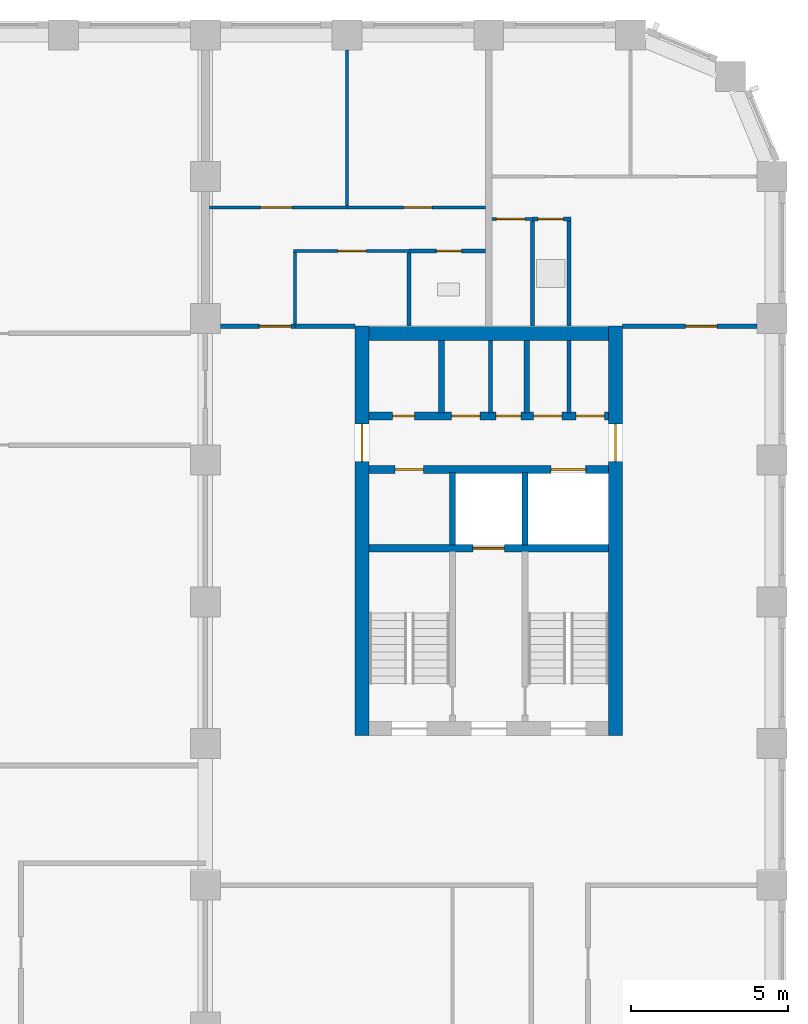
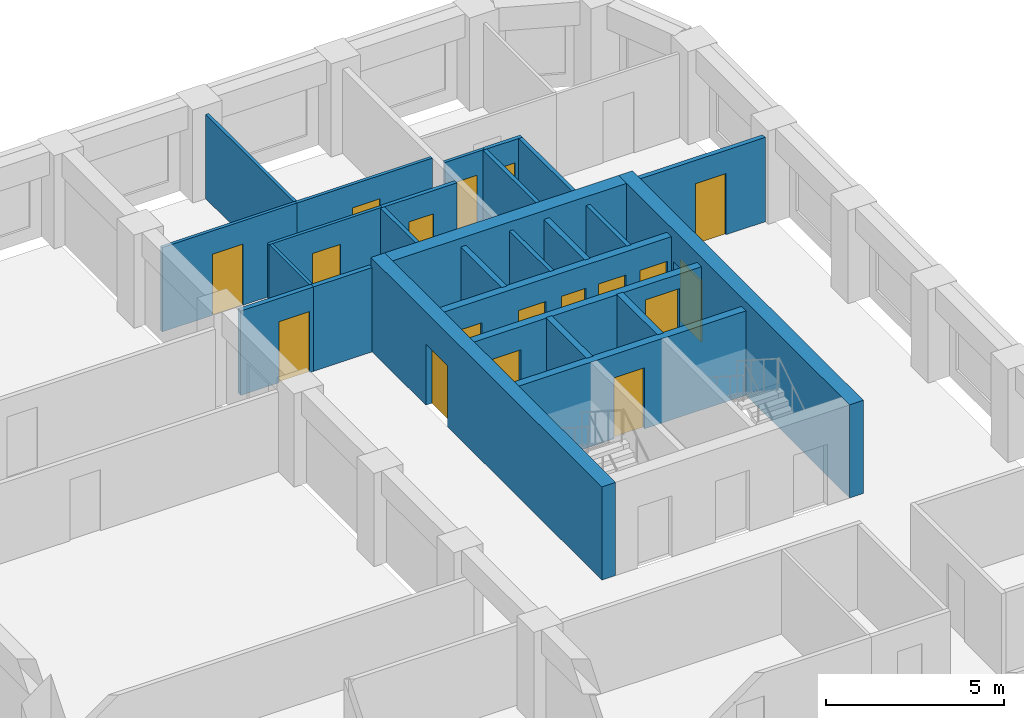
# One storey, part 8 of 12: 26 walls, 18 doors, 18 openings.
"""IFC4 building model written with IfcOpenShell, lengths in metres."""

from ifc_helpers import new_model, si_unit, direction, frame, frame_2d, origin, place, context, subcontext, project, spatial, rectangle, extrude, material, layer, layer_set, type_object, element, fill, save


model = new_model("IFC4")

# Units and contexts
model_context = context("Model", 3, precision=1e-05, world=origin(), true_north=direction((0.0, 1.0)))
body_context = subcontext(model_context, "Body", "Model", "MODEL_VIEW")
ifc_project = project(units=[si_unit("LENGTHUNIT", "METRE"), si_unit("AREAUNIT", "SQUARE_METRE"), si_unit("VOLUMEUNIT", "CUBIC_METRE"), si_unit("PLANEANGLEUNIT", "RADIAN"), si_unit("MASSUNIT", "GRAM", prefix="KILO")], contexts=[model_context])

# Site, building, storey
site_placement = place(None, origin())
site = spatial("IfcSite", under=ifc_project, at=site_placement, CompositionType="ELEMENT")
building_placement = place(site_placement, origin())
building = spatial("IfcBuilding", under=site, at=building_placement, Name="Girih Gate Residences", CompositionType="ELEMENT")
storey_placement = place(building_placement, frame((0.0, 0.0, 143.0)))
storey = spatial("IfcBuildingStorey", under=building, at=storey_placement, Name="L40", CompositionType="ELEMENT", Elevation=143.0)

# Wall, opening, door
ifc_material_1 = material(Name="Gypsum board on steel studs", Category="steel")
ifc_layer_1 = layer(ifc_material_1, 0.14990234375)
ifc_layer_set_1 = layer_set([ifc_layer_1], Name="Compartment wall 150 mm")
wall_type_1 = type_object("IfcWallType", Name="Compartment wall 150 mm", PredefinedType="PARTITIONING", material=ifc_layer_set_1)
wall_1_placement = place(storey_placement, frame((44.75, 40.25, 0.0), z_axis=(0.0, 0.0, 1.0), x_axis=(1.0, 0.0, 0.0)))
wall_1 = element("IfcWall", 1, at=wall_1_placement, inside=storey, type_object=wall_type_1, Name="L40 partition", PredefinedType="PARTITIONING", context=body_context, shape_type="SweptSolid", body=[
    extrude(rectangle(XDim=4.27490234375, YDim=0.14990234375, at=frame_2d((2.137451171875, 0.0))), origin(), (0.0, 0.0, 1.0), 2.89990234375),
])
opening_1_placement = place(wall_1_placement, frame((2.0, 0.0, 0.0)))
opening_1 = element("IfcOpeningElement", 2, at=opening_1_placement, cuts=wall_1, Name="Opening A40-032", PredefinedType="OPENING", context=body_context, shape_type="SweptSolid", body=[
    extrude(rectangle(XDim=1.0, YDim=2.10009765625, at=frame_2d((0.5, 1.050048828125))), frame((0.0, 0.0849609375, 0.0), z_axis=(0.0, -1.0, 0.0), x_axis=(1.0, 0.0, 0.0)), (0.0, 0.0, 1.0), 0.169921875),
])
ifc_material_2 = material(Name="Timber, fire-rated core", Category="wood")
door_type_1 = type_object("IfcDoorType", Name="Flat entrance door 1000x2100 FD30S", OperationType="NOTDEFINED", PredefinedType="DOOR", material=ifc_material_2)
door_1_placement = place(opening_1_placement, origin())
door_1 = element("IfcDoor", 3, at=door_1_placement, inside=storey, type_object=door_type_1, Name="Door A40-032", OperationType="SINGLE_SWING_RIGHT", OverallHeight=2.10009765625, OverallWidth=1.0, PredefinedType="DOOR", context=body_context, shape_type="SweptSolid", body=[
    extrude(rectangle(XDim=1.0, YDim=2.10009765625, at=frame_2d((0.5, 1.050048828125))), frame((0.0, 0.02490234375, 0.0), z_axis=(0.0, -1.0, 0.0), x_axis=(1.0, 0.0, 0.0)), (0.0, 0.0, 1.0), 0.050048828125),
])
fill(opening_1, door_1)

wall_2_placement = place(storey_placement, frame((31.97509765625, 40.25, 0.0), z_axis=(0.0, 0.0, 1.0), x_axis=(1.0, 0.0, 0.0)))
wall_2 = element("IfcWall", 4, at=wall_2_placement, inside=storey, type_object=wall_type_1, Name="L40 partition", PredefinedType="PARTITIONING", context=body_context, shape_type="SweptSolid", body=[
    extrude(rectangle(XDim=2.375, YDim=0.14990234375, at=frame_2d((1.1875, 0.0))), origin(), (0.0, 0.0, 1.0), 2.89990234375),
])
opening_2_placement = place(wall_2_placement, frame((1.2451171875, 0.0, 0.0)))
opening_2 = element("IfcOpeningElement", 5, at=opening_2_placement, cuts=wall_2, Name="Opening A40-037", PredefinedType="OPENING", context=body_context, shape_type="SweptSolid", body=[
    extrude(rectangle(XDim=1.0, YDim=2.10009765625, at=frame_2d((0.5, 1.050048828125))), frame((0.0, 0.0849609375, 0.0), z_axis=(0.0, -1.0, 0.0), x_axis=(1.0, 0.0, 0.0)), (0.0, 0.0, 1.0), 0.169921875),
])
door_2_placement = place(opening_2_placement, origin())
door_2 = element("IfcDoor", 6, at=door_2_placement, inside=storey, type_object=door_type_1, Name="Door A40-037", OperationType="SINGLE_SWING_RIGHT", OverallHeight=2.10009765625, OverallWidth=1.0, PredefinedType="DOOR", context=body_context, shape_type="SweptSolid", body=[
    extrude(rectangle(XDim=1.0, YDim=2.10009765625, at=frame_2d((0.5, 1.050048828125))), frame((0.0, 0.02490234375, 0.0), z_axis=(0.0, -1.0, 0.0), x_axis=(1.0, 0.0, 0.0)), (0.0, 0.0, 1.0), 0.050048828125),
])
fill(opening_2, door_2)

# Walls
wall_3_placement = place(storey_placement, frame((34.35009765625, 40.25, 0.0), z_axis=(0.0, 0.0, 1.0), x_axis=(1.0, 0.0, 0.0)))
element("IfcWall", 7, at=wall_3_placement, inside=storey, type_object=wall_type_1, Name="L40 partition", PredefinedType="PARTITIONING", context=body_context, shape_type="SweptSolid", body=[
    extrude(rectangle(XDim=1.89990234375, YDim=0.14990234375, at=frame_2d((0.949951171875, 0.0))), origin(), (0.0, 0.0, 1.0), 2.89990234375),
])
ifc_material_3 = material(Name="Concrete C60/75", Category="concrete")
ifc_layer_2 = layer(ifc_material_3, 0.449951171875)
ifc_layer_set_2 = layer_set([ifc_layer_2], Name="Core wall RC 450 Concrete C60/75")
wall_type_2 = type_object("IfcWallType", Name="Core wall RC 450 Concrete C60/75", PredefinedType="SOLIDWALL", material=ifc_layer_set_2)
wall_4_placement = place(storey_placement, frame((36.699951171875, 40.02490234375, 0.0), z_axis=(0.0, 0.0, 1.0), x_axis=(1.0, 0.0, 0.0)))
element("IfcWall", 8, at=wall_4_placement, inside=storey, type_object=wall_type_2, Name="Core wall E-N L40", PredefinedType="SOLIDWALL", context=body_context, shape_type="SweptSolid", body=[
    extrude(rectangle(XDim=7.60009765625, YDim=0.449951171875, at=frame_2d((3.800048828125, 0.0))), origin(), (0.0, 0.0, 1.0), 3.199951171875),
])

# Wall, opening, door
wall_5_placement = place(storey_placement, frame((36.47509765625, 27.25, 0.0), z_axis=(0.0, 0.0, 1.0), x_axis=(0.0, 1.0, 0.0)))
wall_5 = element("IfcWall", 9, at=wall_5_placement, inside=storey, type_object=wall_type_2, Name="Core wall E-W L40", PredefinedType="SOLIDWALL", context=body_context, shape_type="SweptSolid", body=[
    extrude(rectangle(XDim=13.0, YDim=0.449951171875, at=frame_2d((6.5, 0.0))), origin(), (0.0, 0.0, 1.0), 3.199951171875),
])
opening_3_placement = place(wall_5_placement, frame((8.699951171875, 0.0, 0.0)))
opening_3 = element("IfcOpeningElement", 10, at=opening_3_placement, cuts=wall_5, Name="Opening D-L40-E-014", PredefinedType="OPENING", context=body_context, shape_type="SweptSolid", body=[
    extrude(rectangle(XDim=1.199951171875, YDim=2.10009765625, at=frame_2d((0.60009765625, 1.050048828125))), frame((0.0, 0.23486328125, 0.0), z_axis=(0.0, -1.0, 0.0), x_axis=(1.0, 0.0, 0.0)), (0.0, 0.0, 1.0), 0.469970703125),
])
ifc_material_4 = material(Name="Painted steel, fire-resisting", Category="steel")
door_type_2 = type_object("IfcDoorType", Name="Fire door 1200x2100", OperationType="SINGLE_SWING_LEFT", PredefinedType="DOOR", material=ifc_material_4)
door_3_placement = place(opening_3_placement, origin())
door_3 = element("IfcDoor", 11, at=door_3_placement, inside=storey, type_object=door_type_2, Name="L40 E core door ll-w", OperationType="SINGLE_SWING_LEFT", OverallHeight=2.10009765625, OverallWidth=1.199951171875, PredefinedType="DOOR", context=body_context, shape_type="SweptSolid", body=[
    extrude(rectangle(XDim=1.199951171875, YDim=2.10009765625, at=frame_2d((0.60009765625, 1.050048828125))), frame((0.0, 0.02490234375, 0.0), z_axis=(0.0, -1.0, 0.0), x_axis=(1.0, 0.0, 0.0)), (0.0, 0.0, 1.0), 0.050048828125),
])
fill(opening_3, door_3)

wall_6_placement = place(storey_placement, frame((44.52490234375, 27.25, 0.0), z_axis=(0.0, 0.0, 1.0), x_axis=(0.0, 1.0, 0.0)))
wall_6 = element("IfcWall", 12, at=wall_6_placement, inside=storey, type_object=wall_type_2, Name="Core wall E-E L40", PredefinedType="SOLIDWALL", context=body_context, shape_type="SweptSolid", body=[
    extrude(rectangle(XDim=13.0, YDim=0.449951171875, at=frame_2d((6.5, 0.0))), origin(), (0.0, 0.0, 1.0), 3.199951171875),
])
opening_4_placement = place(wall_6_placement, frame((8.699951171875, 0.0, 0.0)))
opening_4 = element("IfcOpeningElement", 13, at=opening_4_placement, cuts=wall_6, Name="Opening D-L40-E-015", PredefinedType="OPENING", context=body_context, shape_type="SweptSolid", body=[
    extrude(rectangle(XDim=1.199951171875, YDim=2.10009765625, at=frame_2d((0.60009765625, 1.050048828125))), frame((0.0, 0.23486328125, 0.0), z_axis=(0.0, -1.0, 0.0), x_axis=(1.0, 0.0, 0.0)), (0.0, 0.0, 1.0), 0.469970703125),
])
door_4_placement = place(opening_4_placement, origin())
door_4 = element("IfcDoor", 14, at=door_4_placement, inside=storey, type_object=door_type_2, Name="L40 E core door ll-e", OperationType="SINGLE_SWING_LEFT", OverallHeight=2.10009765625, OverallWidth=1.199951171875, PredefinedType="DOOR", context=body_context, shape_type="SweptSolid", body=[
    extrude(rectangle(XDim=1.199951171875, YDim=2.10009765625, at=frame_2d((0.60009765625, 1.050048828125))), frame((0.0, 0.02490234375, 0.0), z_axis=(0.0, -1.0, 0.0), x_axis=(1.0, 0.0, 0.0)), (0.0, 0.0, 1.0), 0.050048828125),
])
fill(opening_4, door_4)

ifc_material_5 = material(Name="Concrete C40/50", Category="concrete")
ifc_layer_3 = layer(ifc_material_5, 0.25)
ifc_layer_set_3 = layer_set([ifc_layer_3], Name="Lift shaft wall 250")
wall_type_3 = type_object("IfcWallType", Name="Lift shaft wall 250", PredefinedType="SOLIDWALL", material=ifc_layer_set_3)
wall_7_placement = place(storey_placement, frame((36.699951171875, 33.199951171875, 0.0), z_axis=(0.0, 0.0, 1.0), x_axis=(1.0, 0.0, 0.0)))
wall_7 = element("IfcWall", 15, at=wall_7_placement, inside=storey, type_object=wall_type_3, Name="L40 E core wall H1", PredefinedType="SOLIDWALL", context=body_context, shape_type="SweptSolid", body=[
    extrude(rectangle(XDim=7.60009765625, YDim=0.25, at=frame_2d((3.800048828125, 0.0))), origin(), (0.0, 0.0, 1.0), 2.89990234375),
])
opening_5_placement = place(wall_7_placement, frame((3.300048828125, 0.0, 0.0)))
opening_5 = element("IfcOpeningElement", 16, at=opening_5_placement, cuts=wall_7, Name="Opening D-L40-E-004", PredefinedType="OPENING", context=body_context, shape_type="SweptSolid", body=[
    extrude(rectangle(XDim=1.0, YDim=2.10009765625, at=frame_2d((0.5, 1.050048828125))), frame((0.0, 0.135009765625, 0.0), z_axis=(0.0, -1.0, 0.0), x_axis=(1.0, 0.0, 0.0)), (0.0, 0.0, 1.0), 0.27001953125),
])
ifc_material_6 = material(Name="Stainless steel, fire-resisting", Category="steel")
door_type_3 = type_object("IfcDoorType", Name="Firefighting lift landing door 1000x2100", OperationType="SLIDING_TO_LEFT", PredefinedType="DOOR", material=ifc_material_6)
door_5_placement = place(opening_5_placement, origin())
door_5 = element("IfcDoor", 17, at=door_5_placement, inside=storey, type_object=door_type_3, Name="L40 lift FF-E landing door", OperationType="SLIDING_TO_LEFT", OverallHeight=2.10009765625, OverallWidth=1.0, PredefinedType="DOOR", context=body_context, shape_type="SweptSolid", body=[
    extrude(rectangle(XDim=1.0, YDim=2.10009765625, at=frame_2d((0.5, 1.050048828125))), frame((0.0, 0.02490234375, 0.0), z_axis=(0.0, -1.0, 0.0), x_axis=(1.0, 0.0, 0.0)), (0.0, 0.0, 1.0), 0.050048828125),
])
fill(opening_5, door_5)

# Wall, openings, doors
wall_8_placement = place(storey_placement, frame((36.699951171875, 35.699951171875, 0.0), z_axis=(0.0, 0.0, 1.0), x_axis=(1.0, 0.0, 0.0)))
wall_8 = element("IfcWall", 18, at=wall_8_placement, inside=storey, type_object=wall_type_3, Name="L40 E core wall H2", PredefinedType="SOLIDWALL", context=body_context, shape_type="SweptSolid", body=[
    extrude(rectangle(XDim=7.60009765625, YDim=0.25, at=frame_2d((3.800048828125, 0.0))), origin(), (0.0, 0.0, 1.0), 2.89990234375),
])
opening_6_placement = place(wall_8_placement, frame((5.77490234375, 0.0, 0.0)))
opening_6 = element("IfcOpeningElement", 19, at=opening_6_placement, cuts=wall_8, Name="Opening D-L40-E-003", PredefinedType="OPENING", context=body_context, shape_type="SweptSolid", body=[
    extrude(rectangle(XDim=1.10009765625, YDim=2.39990234375, at=frame_2d((0.550048828125, 1.199951171875))), frame((0.0, 0.135009765625, 0.0), z_axis=(0.0, -1.0, 0.0), x_axis=(1.0, 0.0, 0.0)), (0.0, 0.0, 1.0), 0.27001953125),
])
opening_7_placement = place(wall_8_placement, frame((0.824951171875, 0.0, 0.0)))
opening_7 = element("IfcOpeningElement", 20, at=opening_7_placement, cuts=wall_8, Name="Opening D-L40-E-006", PredefinedType="OPENING", context=body_context, shape_type="SweptSolid", body=[
    extrude(rectangle(XDim=0.89990234375, YDim=2.10009765625, at=frame_2d((0.449951171875, 1.050048828125))), frame((0.0, 0.135009765625, 0.0), z_axis=(0.0, -1.0, 0.0), x_axis=(1.0, 0.0, 0.0)), (0.0, 0.0, 1.0), 0.27001953125),
])
door_type_4 = type_object("IfcDoorType", Name="Fire door 900x2100", OperationType="SINGLE_SWING_LEFT", PredefinedType="DOOR", material=ifc_material_4)
door_6_placement = place(opening_7_placement, origin())
door_6 = element("IfcDoor", 21, at=door_6_placement, inside=storey, type_object=door_type_4, Name="L40 E cleaners store door", OperationType="SINGLE_SWING_LEFT", OverallHeight=2.10009765625, OverallWidth=0.89990234375, PredefinedType="DOOR", context=body_context, shape_type="SweptSolid", body=[
    extrude(rectangle(XDim=0.89990234375, YDim=2.10009765625, at=frame_2d((0.449951171875, 1.050048828125))), frame((0.0, 0.02490234375, 0.0), z_axis=(0.0, -1.0, 0.0), x_axis=(1.0, 0.0, 0.0)), (0.0, 0.0, 1.0), 0.050048828125),
])
fill(opening_7, door_6)
ifc_material_7 = material(Name="Stainless steel", Category="steel")
door_type_5 = type_object("IfcDoorType", Name="Lift landing door 1100x2400", OperationType="SLIDING_TO_LEFT", PredefinedType="DOOR", material=ifc_material_7)
door_7_placement = place(opening_6_placement, origin())
door_7 = element("IfcDoor", 22, at=door_7_placement, inside=storey, type_object=door_type_5, Name="L40 lift HR-E1 landing door", OperationType="SLIDING_TO_LEFT", OverallHeight=2.39990234375, OverallWidth=1.10009765625, PredefinedType="DOOR", context=body_context, shape_type="SweptSolid", body=[
    extrude(rectangle(XDim=1.10009765625, YDim=2.39990234375, at=frame_2d((0.550048828125, 1.199951171875))), frame((0.0, 0.02490234375, 0.0), z_axis=(0.0, -1.0, 0.0), x_axis=(1.0, 0.0, 0.0)), (0.0, 0.0, 1.0), 0.050048828125),
])
fill(opening_6, door_7)

wall_9_placement = place(storey_placement, frame((36.699951171875, 37.39990234375, 0.0), z_axis=(0.0, 0.0, 1.0), x_axis=(1.0, 0.0, 0.0)))
wall_9 = element("IfcWall", 23, at=wall_9_placement, inside=storey, type_object=wall_type_3, Name="L40 E core wall H3", PredefinedType="SOLIDWALL", context=body_context, shape_type="SweptSolid", body=[
    extrude(rectangle(XDim=7.60009765625, YDim=0.25, at=frame_2d((3.800048828125, 0.0))), origin(), (0.0, 0.0, 1.0), 2.89990234375),
])
opening_8_placement = place(wall_9_placement, frame((0.75, 0.0, 0.0)))
opening_8 = element("IfcOpeningElement", 24, at=opening_8_placement, cuts=wall_9, Name="Opening D-L40-E-005", PredefinedType="OPENING", context=body_context, shape_type="SweptSolid", body=[
    extrude(rectangle(XDim=0.699951171875, YDim=2.10009765625, at=frame_2d((0.35009765625, 1.050048828125))), frame((0.0, 0.135009765625, 0.0), z_axis=(0.0, -1.0, 0.0), x_axis=(1.0, 0.0, 0.0)), (0.0, 0.0, 1.0), 0.27001953125),
])
opening_9_placement = place(wall_9_placement, frame((6.574951171875, 0.0, 0.0)))
opening_9 = element("IfcOpeningElement", 25, at=opening_9_placement, cuts=wall_9, Name="Opening D-L40-E-007", PredefinedType="OPENING", context=body_context, shape_type="SweptSolid", body=[
    extrude(rectangle(XDim=0.89990234375, YDim=2.10009765625, at=frame_2d((0.449951171875, 1.050048828125))), frame((0.0, 0.135009765625, 0.0), z_axis=(0.0, -1.0, 0.0), x_axis=(1.0, 0.0, 0.0)), (0.0, 0.0, 1.0), 0.27001953125),
])
opening_10_placement = place(wall_9_placement, frame((5.22509765625, 0.0, 0.0)))
opening_10 = element("IfcOpeningElement", 26, at=opening_10_placement, cuts=wall_9, Name="Opening D-L40-E-008", PredefinedType="OPENING", context=body_context, shape_type="SweptSolid", body=[
    extrude(rectangle(XDim=0.89990234375, YDim=2.10009765625, at=frame_2d((0.449951171875, 1.050048828125))), frame((0.0, 0.135009765625, 0.0), z_axis=(0.0, -1.0, 0.0), x_axis=(1.0, 0.0, 0.0)), (0.0, 0.0, 1.0), 0.27001953125),
])
opening_11_placement = place(wall_9_placement, frame((4.02490234375, 0.0, 0.0)))
opening_11 = element("IfcOpeningElement", 27, at=opening_11_placement, cuts=wall_9, Name="Opening D-L40-E-009", PredefinedType="OPENING", context=body_context, shape_type="SweptSolid", body=[
    extrude(rectangle(XDim=0.800048828125, YDim=2.10009765625, at=frame_2d((0.39990234375, 1.050048828125))), frame((0.0, 0.135009765625, 0.0), z_axis=(0.0, -1.0, 0.0), x_axis=(1.0, 0.0, 0.0)), (0.0, 0.0, 1.0), 0.27001953125),
])
opening_12_placement = place(wall_9_placement, frame((2.625, 0.0, 0.0)))
opening_12 = element("IfcOpeningElement", 28, at=opening_12_placement, cuts=wall_9, Name="Opening D-L40-E-010", PredefinedType="OPENING", context=body_context, shape_type="SweptSolid", body=[
    extrude(rectangle(XDim=0.89990234375, YDim=2.10009765625, at=frame_2d((0.449951171875, 1.050048828125))), frame((0.0, 0.135009765625, 0.0), z_axis=(0.0, -1.0, 0.0), x_axis=(1.0, 0.0, 0.0)), (0.0, 0.0, 1.0), 0.27001953125),
])
door_type_6 = type_object("IfcDoorType", Name="Fire door 800x2100", OperationType="SINGLE_SWING_LEFT", PredefinedType="DOOR", material=ifc_material_4)
door_8_placement = place(opening_11_placement, origin())
door_8 = element("IfcDoor", 29, at=door_8_placement, inside=storey, type_object=door_type_6, Name="L40 E store door", OperationType="SINGLE_SWING_LEFT", OverallHeight=2.10009765625, OverallWidth=0.800048828125, PredefinedType="DOOR", context=body_context, shape_type="SweptSolid", body=[
    extrude(rectangle(XDim=0.800048828125, YDim=2.10009765625, at=frame_2d((0.39990234375, 1.050048828125))), frame((0.0, 0.02490234375, 0.0), z_axis=(0.0, -1.0, 0.0), x_axis=(1.0, 0.0, 0.0)), (0.0, 0.0, 1.0), 0.050048828125),
])
fill(opening_11, door_8)
door_9_placement = place(opening_9_placement, origin())
door_9 = element("IfcDoor", 30, at=door_9_placement, inside=storey, type_object=door_type_4, Name="L40 E electrical room door", OperationType="SINGLE_SWING_LEFT", OverallHeight=2.10009765625, OverallWidth=0.89990234375, PredefinedType="DOOR", context=body_context, shape_type="SweptSolid", body=[
    extrude(rectangle(XDim=0.89990234375, YDim=2.10009765625, at=frame_2d((0.449951171875, 1.050048828125))), frame((0.0, 0.02490234375, 0.0), z_axis=(0.0, -1.0, 0.0), x_axis=(1.0, 0.0, 0.0)), (0.0, 0.0, 1.0), 0.050048828125),
])
fill(opening_9, door_9)
door_10_placement = place(opening_10_placement, origin())
door_10 = element("IfcDoor", 31, at=door_10_placement, inside=storey, type_object=door_type_4, Name="L40 E pantry door", OperationType="SINGLE_SWING_LEFT", OverallHeight=2.10009765625, OverallWidth=0.89990234375, PredefinedType="DOOR", context=body_context, shape_type="SweptSolid", body=[
    extrude(rectangle(XDim=0.89990234375, YDim=2.10009765625, at=frame_2d((0.449951171875, 1.050048828125))), frame((0.0, 0.02490234375, 0.0), z_axis=(0.0, -1.0, 0.0), x_axis=(1.0, 0.0, 0.0)), (0.0, 0.0, 1.0), 0.050048828125),
])
fill(opening_10, door_10)
door_11_placement = place(opening_12_placement, origin())
door_11 = element("IfcDoor", 32, at=door_11_placement, inside=storey, type_object=door_type_4, Name="L40 E comms room door", OperationType="SINGLE_SWING_LEFT", OverallHeight=2.10009765625, OverallWidth=0.89990234375, PredefinedType="DOOR", context=body_context, shape_type="SweptSolid", body=[
    extrude(rectangle(XDim=0.89990234375, YDim=2.10009765625, at=frame_2d((0.449951171875, 1.050048828125))), frame((0.0, 0.02490234375, 0.0), z_axis=(0.0, -1.0, 0.0), x_axis=(1.0, 0.0, 0.0)), (0.0, 0.0, 1.0), 0.050048828125),
])
fill(opening_12, door_11)
door_type_7 = type_object("IfcDoorType", Name="Riser access door 700x2100", OperationType="SINGLE_SWING_LEFT", PredefinedType="DOOR", material=ifc_material_4)
door_12_placement = place(opening_8_placement, origin())
door_12 = element("IfcDoor", 33, at=door_12_placement, inside=storey, type_object=door_type_7, Name="L40 E riser room door", OperationType="SINGLE_SWING_LEFT", OverallHeight=2.10009765625, OverallWidth=0.699951171875, PredefinedType="DOOR", context=body_context, shape_type="SweptSolid", body=[
    extrude(rectangle(XDim=0.699951171875, YDim=2.10009765625, at=frame_2d((0.35009765625, 1.050048828125))), frame((0.0, 0.02490234375, 0.0), z_axis=(0.0, -1.0, 0.0), x_axis=(1.0, 0.0, 0.0)), (0.0, 0.0, 1.0), 0.050048828125),
])
fill(opening_8, door_12)

# Wall, opening, door
ifc_layer_4 = layer(ifc_material_1, 0.10009765625)
ifc_layer_set_4 = layer_set([ifc_layer_4], Name="Partition 100 mm")
wall_type_4 = type_object("IfcWallType", Name="Partition 100 mm", PredefinedType="PARTITIONING", material=ifc_layer_set_4)
wall_10_placement = place(storey_placement, frame((41.890869140625, 43.659912109375, 0.0), z_axis=(0.0, 0.0, 1.0), x_axis=(-1.0, 0.0, 0.0)))
wall_10 = element("IfcWall", 34, at=wall_10_placement, inside=storey, type_object=wall_type_4, Name="L40 partition", PredefinedType="PARTITIONING", context=body_context, shape_type="SweptSolid", body=[
    extrude(rectangle(XDim=1.290771484375, YDim=0.10009765625, at=frame_2d((0.6455078125, 0.0))), origin(), (0.0, 0.0, 1.0), 2.89990234375),
])
opening_13_placement = place(wall_10_placement, frame((0.24560546875, 0.0, 0.0)))
opening_13 = element("IfcOpeningElement", 35, at=opening_13_placement, cuts=wall_10, Name="Opening A40-030", PredefinedType="OPENING", context=body_context, shape_type="SweptSolid", body=[
    extrude(rectangle(XDim=0.89990234375, YDim=2.10009765625, at=frame_2d((0.449951171875, 1.050048828125))), frame((0.0, 0.06005859375, 0.0), z_axis=(0.0, -1.0, 0.0), x_axis=(1.0, 0.0, 0.0)), (0.0, 0.0, 1.0), 0.1201171875),
])
ifc_material_8 = material(Name="Timber", Category="wood")
door_type_8 = type_object("IfcDoorType", Name="Kitchen door 900x2100", OperationType="NOTDEFINED", PredefinedType="DOOR", material=ifc_material_8)
door_13_placement = place(opening_13_placement, origin())
door_13 = element("IfcDoor", 36, at=door_13_placement, inside=storey, type_object=door_type_8, Name="Door A40-030", OperationType="SINGLE_SWING_RIGHT", OverallHeight=2.10009765625, OverallWidth=0.89990234375, PredefinedType="DOOR", context=body_context, shape_type="SweptSolid", body=[
    extrude(rectangle(XDim=0.89990234375, YDim=2.10009765625, at=frame_2d((0.449951171875, 1.050048828125))), frame((0.0, 0.02490234375, 0.0), z_axis=(0.0, -1.0, 0.0), x_axis=(1.0, 0.0, 0.0)), (0.0, 0.0, 1.0), 0.050048828125),
])
fill(opening_13, door_13)

wall_11_placement = place(storey_placement, frame((36.0, 44.02490234375, 0.0), z_axis=(0.0, 0.0, 1.0), x_axis=(1.0, 0.0, 0.0)))
wall_11 = element("IfcWall", 37, at=wall_11_placement, inside=storey, type_object=wall_type_4, Name="L40 partition", PredefinedType="PARTITIONING", context=body_context, shape_type="SweptSolid", body=[
    extrude(rectangle(XDim=4.39990234375, YDim=0.10009765625, at=frame_2d((2.199951171875, 0.0))), origin(), (0.0, 0.0, 1.0), 2.89990234375),
])
opening_14_placement = place(wall_11_placement, frame((1.800048828125, 0.0, 0.0)))
opening_14 = element("IfcOpeningElement", 38, at=opening_14_placement, cuts=wall_11, Name="Opening A40-034", PredefinedType="OPENING", context=body_context, shape_type="SweptSolid", body=[
    extrude(rectangle(XDim=0.89990234375, YDim=2.10009765625, at=frame_2d((0.449951171875, 1.050048828125))), frame((0.0, 0.06005859375, 0.0), z_axis=(0.0, -1.0, 0.0), x_axis=(1.0, 0.0, 0.0)), (0.0, 0.0, 1.0), 0.1201171875),
])
door_type_9 = type_object("IfcDoorType", Name="Bedroom door 900x2100", OperationType="NOTDEFINED", PredefinedType="DOOR", material=ifc_material_8)
door_14_placement = place(opening_14_placement, origin())
door_14 = element("IfcDoor", 39, at=door_14_placement, inside=storey, type_object=door_type_9, Name="Door A40-034", OperationType="SINGLE_SWING_RIGHT", OverallHeight=2.10009765625, OverallWidth=0.89990234375, PredefinedType="DOOR", context=body_context, shape_type="SweptSolid", body=[
    extrude(rectangle(XDim=0.89990234375, YDim=2.10009765625, at=frame_2d((0.449951171875, 1.050048828125))), frame((0.0, 0.02490234375, 0.0), z_axis=(0.0, -1.0, 0.0), x_axis=(1.0, 0.0, 0.0)), (0.0, 0.0, 1.0), 0.050048828125),
])
fill(opening_14, door_14)

# Wall
wall_12_placement = place(storey_placement, frame((36.0, 44.074951171875, 0.0), z_axis=(0.0, 0.0, 1.0), x_axis=(0.0, 1.0, 0.0)))
element("IfcWall", 40, at=wall_12_placement, inside=storey, type_object=wall_type_4, Name="L40 partition", PredefinedType="PARTITIONING", context=body_context, shape_type="SweptSolid", body=[
    extrude(rectangle(XDim=4.949951171875, YDim=0.10009765625, at=frame_2d((2.47509765625, 0.0))), origin(), (0.0, 0.0, 1.0), 2.89990234375),
])

# Wall, opening, door
wall_13_placement = place(storey_placement, frame((37.97265625, 42.64501953125, 0.0), z_axis=(0.0, 0.0, 1.0), x_axis=(-1.0, 0.0, 0.0)))
wall_13 = element("IfcWall", 41, at=wall_13_placement, inside=storey, type_object=wall_type_4, Name="L40 partition", PredefinedType="PARTITIONING", context=body_context, shape_type="SweptSolid", body=[
    extrude(rectangle(XDim=3.672607421875, YDim=0.10009765625, at=frame_2d((1.83642578125, 0.0))), origin(), (0.0, 0.0, 1.0), 2.89990234375),
])
opening_15_placement = place(wall_13_placement, frame((1.361328125, 0.0, 0.0)))
opening_15 = element("IfcOpeningElement", 42, at=opening_15_placement, cuts=wall_13, Name="Opening A40-035", PredefinedType="OPENING", context=body_context, shape_type="SweptSolid", body=[
    extrude(rectangle(XDim=0.89990234375, YDim=2.10009765625, at=frame_2d((0.449951171875, 1.050048828125))), frame((0.0, 0.06005859375, 0.0), z_axis=(0.0, -1.0, 0.0), x_axis=(1.0, 0.0, 0.0)), (0.0, 0.0, 1.0), 0.1201171875),
])
door_15_placement = place(opening_15_placement, origin())
door_15 = element("IfcDoor", 43, at=door_15_placement, inside=storey, type_object=door_type_8, Name="Door A40-035", OperationType="SINGLE_SWING_LEFT", OverallHeight=2.10009765625, OverallWidth=0.89990234375, PredefinedType="DOOR", context=body_context, shape_type="SweptSolid", body=[
    extrude(rectangle(XDim=0.89990234375, YDim=2.10009765625, at=frame_2d((0.449951171875, 1.050048828125))), frame((0.0, 0.02490234375, 0.0), z_axis=(0.0, -1.0, 0.0), x_axis=(1.0, 0.0, 0.0)), (0.0, 0.0, 1.0), 0.050048828125),
])
fill(opening_15, door_15)

# Wall
wall_14_placement = place(storey_placement, frame((34.35009765625, 40.324951171875, 0.0), z_axis=(0.0, 0.0, 1.0), x_axis=(0.0, 1.0, 0.0)))
element("IfcWall", 44, at=wall_14_placement, inside=storey, type_object=wall_type_4, Name="L40 partition", PredefinedType="PARTITIONING", context=body_context, shape_type="SweptSolid", body=[
    extrude(rectangle(XDim=2.27001953125, YDim=0.10009765625, at=frame_2d((1.135009765625, 0.0))), origin(), (0.0, 0.0, 1.0), 2.89990234375),
])

# Wall, opening, door
wall_15_placement = place(storey_placement, frame((31.625, 44.02490234375, 0.0), z_axis=(0.0, 0.0, 1.0), x_axis=(1.0, 0.0, 0.0)))
wall_15 = element("IfcWall", 45, at=wall_15_placement, inside=storey, type_object=wall_type_4, Name="L40 partition", PredefinedType="PARTITIONING", context=body_context, shape_type="SweptSolid", body=[
    extrude(rectangle(XDim=4.375, YDim=0.10009765625, at=frame_2d((2.1875, 0.0))), origin(), (0.0, 0.0, 1.0), 2.89990234375),
])
opening_16_placement = place(wall_15_placement, frame((1.625, 0.0, 0.0)))
opening_16 = element("IfcOpeningElement", 46, at=opening_16_placement, cuts=wall_15, Name="Opening A40-036", PredefinedType="OPENING", context=body_context, shape_type="SweptSolid", body=[
    extrude(rectangle(XDim=1.0, YDim=2.10009765625, at=frame_2d((0.5, 1.050048828125))), frame((0.0, 0.06005859375, 0.0), z_axis=(0.0, -1.0, 0.0), x_axis=(1.0, 0.0, 0.0)), (0.0, 0.0, 1.0), 0.1201171875),
])
door_type_10 = type_object("IfcDoorType", Name="Living room door 1000x2100", OperationType="NOTDEFINED", PredefinedType="DOOR", material=ifc_material_8)
door_16_placement = place(opening_16_placement, origin())
door_16 = element("IfcDoor", 47, at=door_16_placement, inside=storey, type_object=door_type_10, Name="Door A40-036", OperationType="SINGLE_SWING_LEFT", OverallHeight=2.10009765625, OverallWidth=1.0, PredefinedType="DOOR", context=body_context, shape_type="SweptSolid", body=[
    extrude(rectangle(XDim=1.0, YDim=2.10009765625, at=frame_2d((0.5, 1.050048828125))), frame((0.0, 0.02490234375, 0.0), z_axis=(0.0, -1.0, 0.0), x_axis=(1.0, 0.0, 0.0)), (0.0, 0.0, 1.0), 0.050048828125),
])
fill(opening_16, door_16)

# Walls
ifc_layer_5 = layer(ifc_material_5, 0.175048828125)
ifc_layer_set_5 = layer_set([ifc_layer_5], Name="Riser shaft wall 175")
wall_type_5 = type_object("IfcWallType", Name="Riser shaft wall 175", PredefinedType="SOLIDWALL", material=ifc_layer_set_5)
for number, where, z_axis, x_axis, name in (
    (48, (41.699951171875, 37.5, 0.0), (0.0, 0.0, 1.0), (0.0, 1.0, 0.0), "L40 E core wall V1c"),
    (49, (39.0, 37.5, 0.0), (0.0, 0.0, 1.0), (0.0, 1.0, 0.0), "L40 E core wall V2c"),
):
    element("IfcWall", number, at=place(storey_placement, frame(where, z_axis=z_axis, x_axis=x_axis)), inside=storey, type_object=wall_type_5, Name=name, PredefinedType="SOLIDWALL", context=body_context, shape_type="SweptSolid", body=[
        extrude(rectangle(XDim=2.300048828125, YDim=0.175048828125, at=frame_2d((1.14990234375, 0.0))), origin(), (0.0, 0.0, 1.0), 2.89990234375),
    ])
ifc_layer_6 = layer(ifc_material_5, 0.199951171875)
ifc_layer_set_6 = layer_set([ifc_layer_6], Name="Shaft wall 200")
wall_type_6 = type_object("IfcWallType", Name="Shaft wall 200", PredefinedType="SOLIDWALL", material=ifc_layer_set_6)
for number, where, z_axis, x_axis, name in (
    (50, (41.64990234375, 33.300048828125, 0.0), (0.0, 0.0, 1.0), (0.0, 1.0, 0.0), "L40 E core wall V1b"),
    (51, (39.35009765625, 33.300048828125, 0.0), (0.0, 0.0, 1.0), (0.0, 1.0, 0.0), "L40 E core wall V2b"),
):
    element("IfcWall", number, at=place(storey_placement, frame(where, z_axis=z_axis, x_axis=x_axis)), inside=storey, type_object=wall_type_6, Name=name, PredefinedType="SOLIDWALL", context=body_context, shape_type="SweptSolid", body=[
        extrude(rectangle(XDim=2.300048828125, YDim=0.199951171875, at=frame_2d((1.14990234375, 0.0))), origin(), (0.0, 0.0, 1.0), 2.89990234375),
    ])
ifc_material_9 = material(Name="Calcium silicate blockwork", Category="masonry")
ifc_layer_7 = layer(ifc_material_9, 0.125)
ifc_layer_set_7 = layer_set([ifc_layer_7], Name="Store partition 125")
wall_type_7 = type_object("IfcWallType", Name="Store partition 125", PredefinedType="PARTITIONING", material=ifc_layer_set_7)
for number, where, z_axis, x_axis, name in (
    (52, (43.050048828125, 37.5, 0.0), (0.0, 0.0, 1.0), (0.0, 1.0, 0.0), "L40 E core wall SLR1"),
    (53, (40.550048828125, 37.5, 0.0), (0.0, 0.0, 1.0), (0.0, 1.0, 0.0), "L40 E core wall SLR2"),
):
    element("IfcWall", number, at=place(storey_placement, frame(where, z_axis=z_axis, x_axis=x_axis)), inside=storey, type_object=wall_type_7, Name=name, PredefinedType="PARTITIONING", context=body_context, shape_type="SweptSolid", body=[
        extrude(rectangle(XDim=2.300048828125, YDim=0.125, at=frame_2d((1.14990234375, 0.0))), origin(), (0.0, 0.0, 1.0), 2.89990234375),
    ])

# Wall, opening, door
ifc_layer_8 = layer(ifc_material_1, 0.125)
ifc_layer_set_8 = layer_set([ifc_layer_8], Name="Wet room wall 125 mm")
wall_type_8 = type_object("IfcWallType", Name="Wet room wall 125 mm", PredefinedType="PARTITIONING", material=ifc_layer_set_8)
wall_16_placement = place(storey_placement, frame((43.112548828125, 43.659912109375, 0.0), z_axis=(0.0, 0.0, 1.0), x_axis=(-1.0, 0.0, 0.0)))
wall_16 = element("IfcWall", 54, at=wall_16_placement, inside=storey, type_object=wall_type_8, Name="L40 partition", PredefinedType="PARTITIONING", context=body_context, shape_type="SweptSolid", body=[
    extrude(rectangle(XDim=1.2216796875, YDim=0.125, at=frame_2d((0.61083984375, 0.0))), origin(), (0.0, 0.0, 1.0), 2.89990234375),
])
opening_17_placement = place(wall_16_placement, frame((0.241943359375, 0.0, 0.0)))
opening_17 = element("IfcOpeningElement", 55, at=opening_17_placement, cuts=wall_16, Name="Opening A40-028", PredefinedType="OPENING", context=body_context, shape_type="SweptSolid", body=[
    extrude(rectangle(XDim=0.800048828125, YDim=2.10009765625, at=frame_2d((0.39990234375, 1.050048828125))), frame((0.0, 0.072509765625, 0.0), z_axis=(0.0, -1.0, 0.0), x_axis=(1.0, 0.0, 0.0)), (0.0, 0.0, 1.0), 0.14501953125),
])
door_type_11 = type_object("IfcDoorType", Name="Bathroom door 800x2100", OperationType="NOTDEFINED", PredefinedType="DOOR", material=ifc_material_8)
door_17_placement = place(opening_17_placement, origin())
door_17 = element("IfcDoor", 56, at=door_17_placement, inside=storey, type_object=door_type_11, Name="Door A40-028", OperationType="SINGLE_SWING_RIGHT", OverallHeight=2.10009765625, OverallWidth=0.800048828125, PredefinedType="DOOR", context=body_context, shape_type="SweptSolid", body=[
    extrude(rectangle(XDim=0.800048828125, YDim=2.10009765625, at=frame_2d((0.39990234375, 1.050048828125))), frame((0.0, 0.02490234375, 0.0), z_axis=(0.0, -1.0, 0.0), x_axis=(1.0, 0.0, 0.0)), (0.0, 0.0, 1.0), 0.050048828125),
])
fill(opening_17, door_17)

# Walls
for number, where, z_axis, x_axis, name in (
    (57, (43.050048828125, 40.25, 0.0), (0.0, 0.0, 1.0), (0.0, 1.0, 0.0), "L40 partition"),
    (58, (41.89111328125, 40.25, 0.0), (0.0, 0.0, 1.0), (0.0, 1.0, 0.0), "L40 partition"),
):
    element("IfcWall", number, at=place(storey_placement, frame(where, z_axis=z_axis, x_axis=x_axis)), inside=storey, type_object=wall_type_8, Name=name, PredefinedType="PARTITIONING", context=body_context, shape_type="SweptSolid", body=[
        extrude(rectangle(XDim=3.347412109375, YDim=0.125, at=frame_2d((1.673828125, 0.0))), origin(), (0.0, 0.0, 1.0), 2.89990234375),
    ])

# Wall, opening, door
wall_17_placement = place(storey_placement, frame((40.39990234375, 42.64501953125, 0.0), z_axis=(0.0, 0.0, 1.0), x_axis=(-1.0, 0.0, 0.0)))
wall_17 = element("IfcWall", 59, at=wall_17_placement, inside=storey, type_object=wall_type_8, Name="L40 partition", PredefinedType="PARTITIONING", context=body_context, shape_type="SweptSolid", body=[
    extrude(rectangle(XDim=2.42724609375, YDim=0.125, at=frame_2d((1.213623046875, 0.0))), origin(), (0.0, 0.0, 1.0), 2.89990234375),
])
opening_18_placement = place(wall_17_placement, frame((0.763671875, 0.0, 0.0)))
opening_18 = element("IfcOpeningElement", 60, at=opening_18_placement, cuts=wall_17, Name="Opening A40-033", PredefinedType="OPENING", context=body_context, shape_type="SweptSolid", body=[
    extrude(rectangle(XDim=0.800048828125, YDim=2.10009765625, at=frame_2d((0.39990234375, 1.050048828125))), frame((0.0, 0.072509765625, 0.0), z_axis=(0.0, -1.0, 0.0), x_axis=(1.0, 0.0, 0.0)), (0.0, 0.0, 1.0), 0.14501953125),
])
door_18_placement = place(opening_18_placement, origin())
door_18 = element("IfcDoor", 61, at=door_18_placement, inside=storey, type_object=door_type_11, Name="Door A40-033", OperationType="SINGLE_SWING_LEFT", OverallHeight=2.10009765625, OverallWidth=0.800048828125, PredefinedType="DOOR", context=body_context, shape_type="SweptSolid", body=[
    extrude(rectangle(XDim=0.800048828125, YDim=2.10009765625, at=frame_2d((0.39990234375, 1.050048828125))), frame((0.0, 0.02490234375, 0.0), z_axis=(0.0, -1.0, 0.0), x_axis=(1.0, 0.0, 0.0)), (0.0, 0.0, 1.0), 0.050048828125),
])
fill(opening_18, door_18)

# Wall
wall_18_placement = place(storey_placement, frame((37.972900390625, 40.25, 0.0), z_axis=(0.0, 0.0, 1.0), x_axis=(0.0, 1.0, 0.0)))
element("IfcWall", 62, at=wall_18_placement, inside=storey, type_object=wall_type_8, Name="L40 partition", PredefinedType="PARTITIONING", context=body_context, shape_type="SweptSolid", body=[
    extrude(rectangle(XDim=2.33251953125, YDim=0.125, at=frame_2d((1.166259765625, 0.0))), origin(), (0.0, 0.0, 1.0), 2.89990234375),
])

save(model, "model.ifc")
